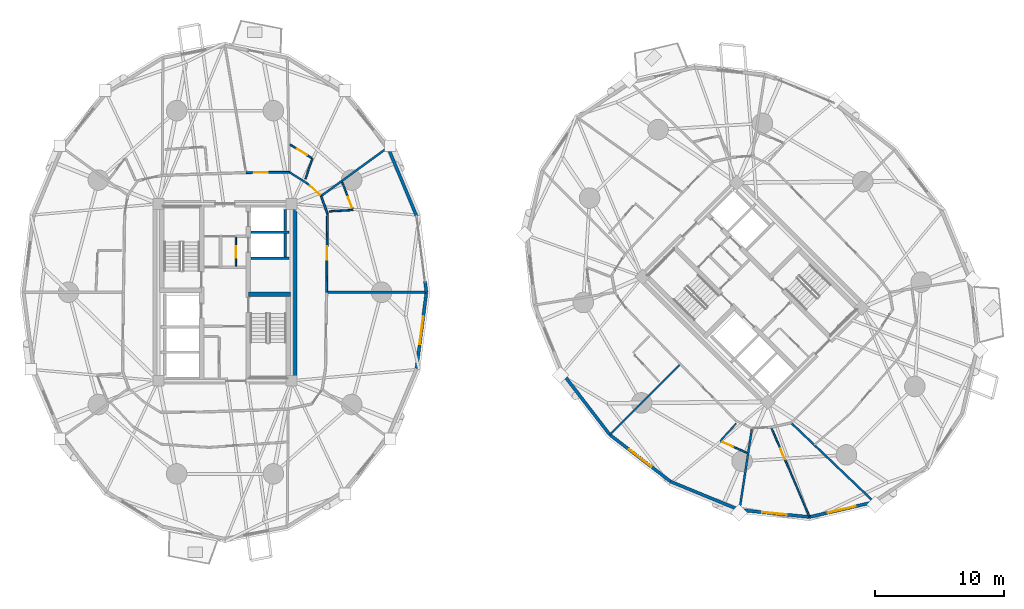
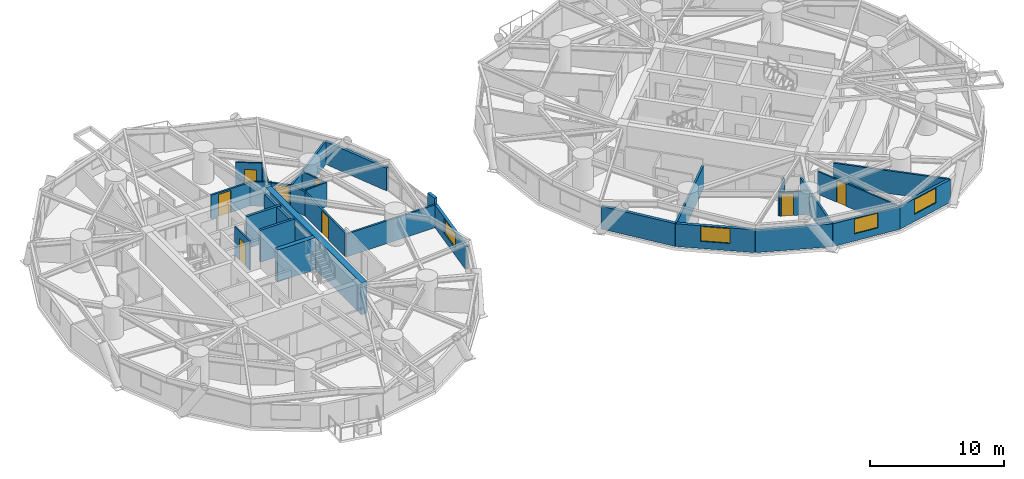
# One storey, part 12 of 19: 32 walls, 8 doors, 4 windows, 12 openings.
"""IFC4 building model written with IfcOpenShell, lengths in metres."""

from ifc_helpers import new_model, si_unit, direction, frame, frame_2d, origin, place, context, subcontext, project, spatial, rectangle, extrude, source, transform, mapped, material, layer, layer_set, type_object, element, fill, save


model = new_model("IFC4")

# Units and contexts
model_context = context("Model", 3, precision=1e-05, world=origin(), true_north=direction((0.0, 1.0)))
body_context = subcontext(model_context, "Body", "Model", "MODEL_VIEW")
ifc_project = project(units=[si_unit("LENGTHUNIT", "METRE"), si_unit("AREAUNIT", "SQUARE_METRE"), si_unit("VOLUMEUNIT", "CUBIC_METRE"), si_unit("PLANEANGLEUNIT", "RADIAN"), si_unit("MASSUNIT", "GRAM", prefix="KILO")], contexts=[model_context])

# Site, building, storey
site_placement = place(None, origin())
site = spatial("IfcSite", under=ifc_project, at=site_placement, CompositionType="ELEMENT")
building_placement = place(site_placement, origin())
building = spatial("IfcBuilding", under=site, at=building_placement, Name="Cununo Teusaquillo Station Towers", CompositionType="ELEMENT")
storey_placement = place(building_placement, frame((0.0, 0.0, 48.18994140625)))
storey = spatial("IfcBuildingStorey", under=building, at=storey_placement, Name="L14", CompositionType="ELEMENT", Elevation=48.18994140625)

# Walls
ifc_material_1 = material(Name="Concrete C50/60", Category="concrete")
ifc_layer_1 = layer(ifc_material_1, 0.199951171875)
ifc_layer_set_1 = layer_set([ifc_layer_1], Name="Concrete C50/60")
wall_type_1 = type_object("IfcWallType", Name="WL-CORE-200", PredefinedType="SHEAR", material=ifc_layer_set_1)
for number, where, z_axis, x_axis, name in (
    (1, (18.510009765625, 27.1298828125, 0.0), (0.0, 0.0, 1.0), (1.0, 0.0, 0.0), "L14 Tower A Low-Rise Lift Hoistway South Shear Wall"),
    (2, (18.510009765625, 29.175048828125, 0.0), (0.0, 0.0, 1.0), (1.0, 0.0, 0.0), "L14 Tower A Low-Rise Lift Hoistway Divider Shear Wall"),
):
    element("IfcWall", number, at=place(storey_placement, frame(where, z_axis=z_axis, x_axis=x_axis)), inside=storey, type_object=wall_type_1, Name=name, PredefinedType="SHEAR", context=body_context, shape_type="SweptSolid", body=[
        extrude(rectangle(XDim=2.969970703125, YDim=0.199951171875, at=frame_2d((1.48486328125, 0.0))), origin(), (0.0, 0.0, 1.0), 2.91015625),
    ])
wall_1_placement = place(storey_placement, frame((21.179931640625, 27.25, 0.0), z_axis=(0.0, 0.0, 1.0), x_axis=(0.0, 1.0, 0.0)))
element("IfcWall", 3, at=wall_1_placement, inside=storey, type_object=wall_type_1, Name="L14 Tower A Low-Rise Lift 1 Shaft Rear Shear Wall", PredefinedType="SHEAR", context=body_context, shape_type="SweptSolid", body=[
    extrude(rectangle(XDim=1.804931640625, YDim=0.199951171875, at=frame_2d((0.90234375, 0.0))), origin(), (0.0, 0.0, 1.0), 2.91015625),
])
wall_2_placement = place(storey_placement, frame((21.179931640625, 29.294921875, 0.0), z_axis=(0.0, 0.0, 1.0), x_axis=(0.0, 1.0, 0.0)))
element("IfcWall", 4, at=wall_2_placement, inside=storey, type_object=wall_type_1, Name="L14 Tower A Low-Rise Lift 2 Shaft Rear Shear Wall", PredefinedType="SHEAR", context=body_context, shape_type="SweptSolid", body=[
    extrude(rectangle(XDim=1.635009765625, YDim=0.199951171875, at=frame_2d((0.8173828125, 0.0))), origin(), (0.0, 0.0, 1.0), 2.91015625),
])
ifc_material_2 = material(Name="Concrete C50/60", Category="concrete")
ifc_layer_2 = layer(ifc_material_2, 0.35009765625)
ifc_layer_set_2 = layer_set([ifc_layer_2], Name="Concrete C50/60")
wall_type_2 = type_object("IfcWallType", Name="WL-CORE-350", PredefinedType="SHEAR", material=ifc_layer_set_2)
wall_3_placement = place(storey_placement, frame((18.31494140625, 24.344970703125, 0.0), z_axis=(0.0, 0.0, 1.0), x_axis=(1.0, 0.0, 0.0)))
element("IfcWall", 5, at=wall_3_placement, inside=storey, type_object=wall_type_2, Name="L14 Tower A Core Shear Wall ST2N", PredefinedType="SHEAR", context=body_context, shape_type="SweptSolid", body=[
    extrude(rectangle(XDim=3.28515625, YDim=0.35009765625, at=frame_2d((1.642578125, 0.0))), origin(), (0.0, 0.0, 1.0), 2.91015625),
])
ifc_material_3 = material(Name="Concrete C60/75", Category="concrete")
ifc_layer_3 = layer(ifc_material_3, 0.5)
ifc_layer_set_3 = layer_set([ifc_layer_3], Name="Concrete C60/75")
wall_type_3 = type_object("IfcWallType", Name="WL-CORE-500", PredefinedType="SHEAR", material=ifc_layer_set_3)
wall_4_placement = place(storey_placement, frame((21.85009765625, 17.35009765625, 0.0), z_axis=(0.0, 0.0, 1.0), x_axis=(0.0, 1.0, 0.0)))
element("IfcWall", 6, at=wall_4_placement, inside=storey, type_object=wall_type_3, Name="L14 Tower A Core Shear Wall E", PredefinedType="SHEAR", context=body_context, shape_type="SweptSolid", body=[
    extrude(rectangle(XDim=14.2998046875, YDim=0.5, at=frame_2d((7.14990234375, 0.0))), origin(), (0.0, 0.0, 1.0), 2.91015625),
])
ifc_material_4 = material(Name="Precast concrete C40/50", Category="concrete")
ifc_layer_4 = layer(ifc_material_4, 0.239990234375)
ifc_layer_set_4 = layer_set([ifc_layer_4], Name="Precast concrete C40/50")
wall_type_4 = type_object("IfcWallType", Name="WL-EXT-240", PredefinedType="SOLIDWALL", material=ifc_layer_set_4)
wall_5_placement = place(storey_placement, frame((32.05126953125, 25.36279296875, 0.0), z_axis=(0.0, 0.0, 1.0), x_axis=(0.128523364007, -0.991706481225, 0.0)))
element("IfcWall", 7, at=wall_5_placement, inside=storey, type_object=wall_type_4, Name="L14 Tower A Column Pier Cladding Wall C00-PB", PredefinedType="SOLIDWALL", context=body_context, shape_type="SweptSolid", body=[
    extrude(rectangle(XDim=0.8701171875, YDim=0.239990234375, at=frame_2d((0.43505859375, 0.0))), origin(), (0.0, 0.0, 1.0), 2.635009765625),
])
wall_6_placement = place(storey_placement, frame((29.171630859375, 35.767822265625, 0.0), z_axis=(0.0, 0.0, 1.0), x_axis=(0.384348836956, -0.923187939442, 0.0)))
element("IfcWall", 8, at=wall_6_placement, inside=storey, type_object=wall_type_4, Name="L14 Tower A Exterior Facade Wall C01", PredefinedType="SOLIDWALL", context=body_context, shape_type="SweptSolid", body=[
    extrude(rectangle(XDim=5.78857421875, YDim=0.239990234375, at=frame_2d((2.894287109375, 0.0))), origin(), (0.0, 0.0, 1.0), 2.072998046875),
])

# Wall, opening, window
wall_7_placement = place(storey_placement, frame((32.1630859375, 24.5, 0.0), z_axis=(0.0, 0.0, 1.0), x_axis=(-0.128339641463, -0.991730274031, 0.0)))
wall_7 = element("IfcWall", 9, at=wall_7_placement, inside=storey, type_object=wall_type_4, Name="L14 Tower A Exterior Facade Wall C19", PredefinedType="SOLIDWALL", context=body_context, shape_type="SweptSolid", body=[
    extrude(rectangle(XDim=5.97314453125, YDim=0.239990234375, at=frame_2d((2.986572265625, 0.0))), origin(), (0.0, 0.0, 1.0), 2.072998046875),
])
shared_shape_1 = source(origin(), body_context, "Body", "SweptSolid", [
    extrude(rectangle(XDim=2.199951171875, YDim=1.35009765625, at=frame_2d((1.10009765625, 0.675048828125))), frame((0.0, 0.1298828125, 0.0), z_axis=(0.0, -1.0, 0.0), x_axis=(1.0, 0.0, 0.0)), (0.0, 0.0, 1.0), 0.260009765625),
])
opening_1_placement = place(wall_7_placement, frame((1.886962890625, 0.0, 0.64990234375)))
opening_1 = element("IfcOpeningElement", 10, at=opening_1_placement, cuts=wall_7, Name="Opening WN-01", PredefinedType="OPENING", context=body_context, shape_type="MappedRepresentation", body=[
    mapped(shared_shape_1, transform((0.0, 0.0, 0.0), x_axis=(1.0, 0.0, 0.0), y_axis=(0.0, 1.0, 0.0), z_axis=(0.0, 0.0, 1.0), scale=1.0)),
])
ifc_material_5 = material(Name="Ceramic-fritted dark low-E double glazing", Category="glass")
window_type_1 = type_object("IfcWindowType", Name="WIN-FRIT-2200", PartitioningType="DOUBLE_PANEL_VERTICAL", PredefinedType="WINDOW", material=ifc_material_5)
shared_shape_2 = source(origin(), body_context, "Body", "SweptSolid", [
    extrude(rectangle(XDim=2.199951171875, YDim=1.35009765625, at=frame_2d((1.10009765625, 0.675048828125))), frame((0.0, 0.030029296875, 0.0), z_axis=(0.0, -1.0, 0.0), x_axis=(1.0, 0.0, 0.0)), (0.0, 0.0, 1.0), 0.06005859375),
])
window_1_placement = place(opening_1_placement, origin())
window_1 = element("IfcWindow", 11, at=window_1_placement, inside=storey, type_object=window_type_1, Name="L14 Tower A Facade Window C19", OverallHeight=1.35009765625, OverallWidth=2.199951171875, PartitioningType="DOUBLE_PANEL_VERTICAL", PredefinedType="WINDOW", context=body_context, shape_type="MappedRepresentation", body=[
    mapped(shared_shape_2, transform((0.0, 0.0, 0.0), x_axis=(1.0, 0.0, 0.0), y_axis=(0.0, 1.0, 0.0), z_axis=(0.0, 0.0, 1.0), scale=1.0)),
])
fill(opening_1, window_1)

# Wall
wall_8_placement = place(storey_placement, frame((46.424560546875, 13.424560546875, 0.0), z_axis=(0.0, 0.0, 1.0), x_axis=(-0.610502519057, 0.792014314407, 0.0)))
element("IfcWall", 12, at=wall_8_placement, inside=storey, type_object=wall_type_4, Name="L14 Tower B Exterior Facade Wall C09", PredefinedType="SOLIDWALL", context=body_context, shape_type="SweptSolid", body=[
    extrude(rectangle(XDim=5.973388671875, YDim=0.239990234375, at=frame_2d((2.98681640625, 0.0))), origin(), (0.0, 0.0, 1.0), 2.072998046875),
])

# Wall, opening, window
wall_9_placement = place(storey_placement, frame((51.155517578125, 9.77783203125, 0.0), z_axis=(0.0, 0.0, 1.0), x_axis=(-0.792014314407, 0.610502519057, 0.0)))
wall_9 = element("IfcWall", 13, at=wall_9_placement, inside=storey, type_object=wall_type_4, Name="L14 Tower B Exterior Facade Wall C10", PredefinedType="SOLIDWALL", context=body_context, shape_type="SweptSolid", body=[
    extrude(rectangle(XDim=5.973388671875, YDim=0.239990234375, at=frame_2d((2.98681640625, 0.0))), origin(), (0.0, 0.0, 1.0), 2.072998046875),
])
opening_2_placement = place(wall_9_placement, frame((1.886962890625, 0.0, 0.64990234375)))
opening_2 = element("IfcOpeningElement", 14, at=opening_2_placement, cuts=wall_9, Name="Opening WN-01", PredefinedType="OPENING", context=body_context, shape_type="MappedRepresentation", body=[
    mapped(shared_shape_1, transform((0.0, 0.0, 0.0), x_axis=(1.0, 0.0, 0.0), y_axis=(0.0, 1.0, 0.0), z_axis=(0.0, 0.0, 1.0), scale=1.0)),
])
window_2_placement = place(opening_2_placement, origin())
window_2 = element("IfcWindow", 15, at=window_2_placement, inside=storey, type_object=window_type_1, Name="L14 Tower B Facade Window C10", OverallHeight=1.35009765625, OverallWidth=2.199951171875, PartitioningType="DOUBLE_PANEL_VERTICAL", PredefinedType="WINDOW", context=body_context, shape_type="MappedRepresentation", body=[
    mapped(shared_shape_2, transform((0.0, 0.0, 0.0), x_axis=(1.0, 0.0, 0.0), y_axis=(0.0, 1.0, 0.0), z_axis=(0.0, 0.0, 1.0), scale=1.0)),
])
fill(opening_2, window_2)

# Wall
wall_10_placement = place(storey_placement, frame((56.50732421875, 7.572265625, 0.0), z_axis=(0.0, 0.0, 1.0), x_axis=(-0.924563629567, 0.381027682565, 0.0)))
element("IfcWall", 16, at=wall_10_placement, inside=storey, type_object=wall_type_4, Name="L14 Tower B Exterior Facade Wall C11", PredefinedType="SOLIDWALL", context=body_context, shape_type="SweptSolid", body=[
    extrude(rectangle(XDim=5.78857421875, YDim=0.239990234375, at=frame_2d((2.894287109375, 0.0))), origin(), (0.0, 0.0, 1.0), 2.072998046875),
])

# Wall, opening, window
wall_11_placement = place(storey_placement, frame((61.95654296875, 7.023681640625, 0.0), z_axis=(0.0, 0.0, 1.0), x_axis=(-0.994970765694, 0.100165739718, 0.0)))
wall_11 = element("IfcWall", 17, at=wall_11_placement, inside=storey, type_object=wall_type_4, Name="L14 Tower B Exterior Facade Wall C12", PredefinedType="SOLIDWALL", context=body_context, shape_type="SweptSolid", body=[
    extrude(rectangle(XDim=5.476806640625, YDim=0.239990234375, at=frame_2d((2.73828125, 0.0))), origin(), (0.0, 0.0, 1.0), 2.072998046875),
])
shared_shape_3 = source(origin(), body_context, "Body", "SweptSolid", [
    extrude(rectangle(XDim=1.89990234375, YDim=1.35009765625, at=frame_2d((0.949951171875, 0.675048828125))), frame((0.0, 0.1298828125, 0.0), z_axis=(0.0, -1.0, 0.0), x_axis=(1.0, 0.0, 0.0)), (0.0, 0.0, 1.0), 0.260009765625),
])
opening_3_placement = place(wall_11_placement, frame((1.7880859375, 0.0, 0.64990234375)))
opening_3 = element("IfcOpeningElement", 18, at=opening_3_placement, cuts=wall_11, Name="Opening WN-02", PredefinedType="OPENING", context=body_context, shape_type="MappedRepresentation", body=[
    mapped(shared_shape_3, transform((0.0, 0.0, 0.0), x_axis=(1.0, 0.0, 0.0), y_axis=(0.0, 1.0, 0.0), z_axis=(0.0, 0.0, 1.0), scale=1.0)),
])
ifc_material_6 = material(Name="Operable acoustic tinted low-E double glazing", Category="glass")
window_type_2 = type_object("IfcWindowType", Name="WIN-OPER-1900", PartitioningType="DOUBLE_PANEL_VERTICAL", PredefinedType="WINDOW", material=ifc_material_6)
shared_shape_4 = source(origin(), body_context, "Body", "SweptSolid", [
    extrude(rectangle(XDim=1.89990234375, YDim=1.35009765625, at=frame_2d((0.949951171875, 0.675048828125))), frame((0.0, 0.030029296875, 0.0), z_axis=(0.0, -1.0, 0.0), x_axis=(1.0, 0.0, 0.0)), (0.0, 0.0, 1.0), 0.06005859375),
])
window_3_placement = place(opening_3_placement, origin())
window_3 = element("IfcWindow", 19, at=window_3_placement, inside=storey, type_object=window_type_2, Name="L14 Tower B Facade Window C12", OverallHeight=1.35009765625, OverallWidth=1.89990234375, PartitioningType="DOUBLE_PANEL_VERTICAL", PredefinedType="WINDOW", context=body_context, shape_type="MappedRepresentation", body=[
    mapped(shared_shape_4, transform((0.0, 0.0, 0.0), x_axis=(1.0, 0.0, 0.0), y_axis=(0.0, 1.0, 0.0), z_axis=(0.0, 0.0, 1.0), scale=1.0)),
])
fill(opening_3, window_3)

wall_12_placement = place(storey_placement, frame((66.969482421875, 8.185791015625, 0.0), z_axis=(0.0, 0.0, 1.0), x_axis=(-0.974166016949, -0.225833060959, 0.0)))
wall_12 = element("IfcWall", 20, at=wall_12_placement, inside=storey, type_object=wall_type_4, Name="L14 Tower B Exterior Facade Wall C13", PredefinedType="SOLIDWALL", context=body_context, shape_type="SweptSolid", body=[
    extrude(rectangle(XDim=5.14599609375, YDim=0.239990234375, at=frame_2d((2.572998046875, 0.0))), origin(), (0.0, 0.0, 1.0), 2.072998046875),
])
opening_4_placement = place(wall_12_placement, frame((1.472900390625, 0.0, 0.64990234375)))
opening_4 = element("IfcOpeningElement", 21, at=opening_4_placement, cuts=wall_12, Name="Opening WN-01", PredefinedType="OPENING", context=body_context, shape_type="MappedRepresentation", body=[
    mapped(shared_shape_1, transform((0.0, 0.0, 0.0), x_axis=(1.0, 0.0, 0.0), y_axis=(0.0, 1.0, 0.0), z_axis=(0.0, 0.0, 1.0), scale=1.0)),
])
window_4_placement = place(opening_4_placement, origin())
window_4 = element("IfcWindow", 22, at=window_4_placement, inside=storey, type_object=window_type_1, Name="L14 Tower B Facade Window C13", OverallHeight=1.35009765625, OverallWidth=2.199951171875, PartitioningType="DOUBLE_PANEL_VERTICAL", PredefinedType="WINDOW", context=body_context, shape_type="MappedRepresentation", body=[
    mapped(shared_shape_2, transform((0.0, 0.0, 0.0), x_axis=(1.0, 0.0, 0.0), y_axis=(0.0, 1.0, 0.0), z_axis=(0.0, 0.0, 1.0), scale=1.0)),
])
fill(opening_4, window_4)

# Wall, opening, door
ifc_material_7 = material(Name="Fire-rated gypsum plasterboard partition assembly", Category="gypsum")
ifc_layer_5 = layer(ifc_material_7, 0.125)
ifc_layer_set_5 = layer_set([ifc_layer_5], Name="Fire-rated gypsum plasterboard partition assembly")
wall_type_5 = type_object("IfcWallType", Name="WL-PART-125", PredefinedType="PARTITIONING", material=ifc_layer_set_5)
wall_13_placement = place(storey_placement, frame((17.35009765625, 26.52001953125, 0.0), z_axis=(0.0, 0.0, 1.0), x_axis=(0.0, 1.0, 0.0)))
wall_13 = element("IfcWall", 23, at=wall_13_placement, inside=storey, type_object=wall_type_5, Name="L14 Tower A Core Vertical Split Wall", PredefinedType="PARTITIONING", context=body_context, shape_type="SweptSolid", body=[
    extrude(rectangle(XDim=2.260009765625, YDim=0.125, at=frame_2d((1.1298828125, 0.0))), origin(), (0.0, 0.0, 1.0), 2.635009765625),
])
shared_shape_5 = source(origin(), body_context, "Body", "SweptSolid", [
    extrude(rectangle(XDim=0.89990234375, YDim=2.0048828125, at=frame_2d((0.449951171875, 1.00244140625))), frame((0.0, 0.072509765625, 0.0), z_axis=(0.0, -1.0, 0.0), x_axis=(1.0, 0.0, 0.0)), (0.0, 0.0, 1.0), 0.14501953125),
])
opening_5_placement = place(wall_13_placement, frame((0.64990234375, 0.0, 0.0)))
opening_5 = element("IfcOpeningElement", 24, at=opening_5_placement, cuts=wall_13, Name="Opening D-SR1", PredefinedType="OPENING", context=body_context, shape_type="MappedRepresentation", body=[
    mapped(shared_shape_5, transform((0.0, 0.0, 0.0), x_axis=(1.0, 0.0, 0.0), y_axis=(0.0, 1.0, 0.0), z_axis=(0.0, 0.0, 1.0), scale=1.0)),
])
ifc_material_8 = material(Name="Galvanised fire-rated hollow steel door assembly", Category="steel")
door_type_1 = type_object("IfcDoorType", Name="DR-STORE-900", OperationType="NOTDEFINED", PredefinedType="DOOR", material=ifc_material_8)
shared_shape_6 = source(origin(), body_context, "Body", "SweptSolid", [
    extrude(rectangle(XDim=0.89990234375, YDim=2.0048828125, at=frame_2d((0.449951171875, 1.00244140625))), frame((0.0, 0.02490234375, 0.0), z_axis=(0.0, -1.0, 0.0), x_axis=(1.0, 0.0, 0.0)), (0.0, 0.0, 1.0), 0.050048828125),
])
door_1_placement = place(opening_5_placement, origin())
door_1 = element("IfcDoor", 25, at=door_1_placement, inside=storey, type_object=door_type_1, Name="L14 Tower A Core Electrical Room Door", OperationType="SINGLE_SWING_LEFT", OverallHeight=2.0048828125, OverallWidth=0.89990234375, PredefinedType="DOOR", context=body_context, shape_type="MappedRepresentation", body=[
    mapped(shared_shape_6, transform((0.0, 0.0, 0.0), x_axis=(1.0, 0.0, 0.0), y_axis=(0.0, 1.0, 0.0), z_axis=(0.0, 0.0, 1.0), scale=1.0)),
])
fill(opening_5, door_1)

# Wall
wall_14_placement = place(storey_placement, frame((24.6005859375, 30.7900390625, 0.0), z_axis=(0.0, 0.0, 1.0), x_axis=(0.998323904123, 0.057873849514, 0.0)))
element("IfcWall", 26, at=wall_14_placement, inside=storey, type_object=wall_type_5, Name="L14 Tower A S01 En-suite Side Wall", PredefinedType="PARTITIONING", context=body_context, shape_type="SweptSolid", body=[
    extrude(rectangle(XDim=1.856201171875, YDim=0.125, at=frame_2d((0.92822265625, 0.0))), origin(), (0.0, 0.0, 1.0), 2.205078125),
])

# Wall, opening, door
wall_15_placement = place(storey_placement, frame((26.427978515625, 30.962890625, 0.0), z_axis=(0.0, 0.0, 1.0), x_axis=(-0.364149471566, 0.931340519014, 0.0)))
wall_15 = element("IfcWall", 27, at=wall_15_placement, inside=storey, type_object=wall_type_5, Name="L14 Tower A S01 En-suite Back Wall", PredefinedType="PARTITIONING", context=body_context, shape_type="SweptSolid", body=[
    extrude(rectangle(XDim=2.247314453125, YDim=0.125, at=frame_2d((1.12353515625, 0.0))), origin(), (0.0, 0.0, 1.0), 2.1591796875),
])
opening_6_placement = place(wall_15_placement, frame((0.1201171875, 0.0, 0.0)))
opening_6 = element("IfcOpeningElement", 28, at=opening_6_placement, cuts=wall_15, Name="Opening D-IN1", PredefinedType="OPENING", context=body_context, shape_type="MappedRepresentation", body=[
    mapped(shared_shape_5, transform((0.0, 0.0, 0.0), x_axis=(1.0, 0.0, 0.0), y_axis=(0.0, 1.0, 0.0), z_axis=(0.0, 0.0, 1.0), scale=1.0)),
])
ifc_material_9 = material(Name="Acoustic solid-core hardwood leaf assembly", Category="wood")
door_type_2 = type_object("IfcDoorType", Name="DR-INT-900", OperationType="NOTDEFINED", PredefinedType="DOOR", material=ifc_material_9)
door_2_placement = place(opening_6_placement, origin())
door_2 = element("IfcDoor", 29, at=door_2_placement, inside=storey, type_object=door_type_2, Name="L14 Tower A S01 En-suite Bathroom Door", OperationType="SINGLE_SWING_LEFT", OverallHeight=2.0048828125, OverallWidth=0.89990234375, PredefinedType="DOOR", context=body_context, shape_type="MappedRepresentation", body=[
    mapped(shared_shape_6, transform((0.0, 0.0, 0.0), x_axis=(1.0, 0.0, 0.0), y_axis=(0.0, 1.0, 0.0), z_axis=(0.0, 0.0, 1.0), scale=1.0)),
])
fill(opening_6, door_2)

# Wall
wall_16_placement = place(storey_placement, frame((22.76025390625, 33.312744140625, 0.0), z_axis=(0.0, 0.0, 1.0), x_axis=(0.312649886595, 0.949868437423, 0.0)))
element("IfcWall", 30, at=wall_16_placement, inside=storey, type_object=wall_type_5, Name="L14 Tower A S02 En-suite Side Wall", PredefinedType="PARTITIONING", context=body_context, shape_type="SweptSolid", body=[
    extrude(rectangle(XDim=1.6796875, YDim=0.125, at=frame_2d((0.83984375, 0.0))), origin(), (0.0, 0.0, 1.0), 2.205078125),
])

# Wall, opening, door
wall_17_placement = place(storey_placement, frame((23.23291015625, 34.941162109375, 0.0), z_axis=(0.0, 0.0, 1.0), x_axis=(-0.84760373009, 0.53062973601, 0.0)))
wall_17 = element("IfcWall", 31, at=wall_17_placement, inside=storey, type_object=wall_type_5, Name="L14 Tower A S02 En-suite Back Wall", PredefinedType="PARTITIONING", context=body_context, shape_type="SweptSolid", body=[
    extrude(rectangle(XDim=1.982666015625, YDim=0.125, at=frame_2d((0.9912109375, 0.0))), origin(), (0.0, 0.0, 1.0), 2.635009765625),
])
opening_7_placement = place(wall_17_placement, frame((0.43603515625, 0.0, 0.0)))
opening_7 = element("IfcOpeningElement", 32, at=opening_7_placement, cuts=wall_17, Name="Opening D-IN1", PredefinedType="OPENING", context=body_context, shape_type="MappedRepresentation", body=[
    mapped(shared_shape_5, transform((0.0, 0.0, 0.0), x_axis=(1.0, 0.0, 0.0), y_axis=(0.0, 1.0, 0.0), z_axis=(0.0, 0.0, 1.0), scale=1.0)),
])
door_3_placement = place(opening_7_placement, origin())
door_3 = element("IfcDoor", 33, at=door_3_placement, inside=storey, type_object=door_type_2, Name="L14 Tower A S02 En-suite Bathroom Door", OperationType="SINGLE_SWING_LEFT", OverallHeight=2.0048828125, OverallWidth=0.89990234375, PredefinedType="DOOR", context=body_context, shape_type="MappedRepresentation", body=[
    mapped(shared_shape_6, transform((0.0, 0.0, 0.0), x_axis=(1.0, 0.0, 0.0), y_axis=(0.0, 1.0, 0.0), z_axis=(0.0, 0.0, 1.0), scale=1.0)),
])
fill(opening_7, door_3)

# Wall
wall_18_placement = place(storey_placement, frame((56.249267578125, 14.3017578125, 0.0), z_axis=(0.0, 0.0, 1.0), x_axis=(-0.669226451819, -0.743058514645, 0.0)))
element("IfcWall", 34, at=wall_18_placement, inside=storey, type_object=wall_type_5, Name="L14 Tower B S05 En-suite Side Wall", PredefinedType="PARTITIONING", context=body_context, shape_type="SweptSolid", body=[
    extrude(rectangle(XDim=1.85498046875, YDim=0.125, at=frame_2d((0.927490234375, 0.0))), origin(), (0.0, 0.0, 1.0), 2.205078125),
])

# Wall, opening, door
wall_19_placement = place(storey_placement, frame((55.071044921875, 12.895751953125, 0.0), z_axis=(0.0, 0.0, 1.0), x_axis=(0.916939896123, -0.399025346184, 0.0)))
wall_19 = element("IfcWall", 35, at=wall_19_placement, inside=storey, type_object=wall_type_5, Name="L14 Tower B S05 En-suite Back Wall", PredefinedType="PARTITIONING", context=body_context, shape_type="SweptSolid", body=[
    extrude(rectangle(XDim=2.20751953125, YDim=0.125, at=frame_2d((1.103759765625, 0.0))), origin(), (0.0, 0.0, 1.0), 2.1591796875),
])
opening_8_placement = place(wall_19_placement, frame((0.1201171875, 0.0, 0.0)))
opening_8 = element("IfcOpeningElement", 36, at=opening_8_placement, cuts=wall_19, Name="Opening D-IN1", PredefinedType="OPENING", context=body_context, shape_type="MappedRepresentation", body=[
    mapped(shared_shape_5, transform((0.0, 0.0, 0.0), x_axis=(1.0, 0.0, 0.0), y_axis=(0.0, 1.0, 0.0), z_axis=(0.0, 0.0, 1.0), scale=1.0)),
])
door_4_placement = place(opening_8_placement, origin())
door_4 = element("IfcDoor", 37, at=door_4_placement, inside=storey, type_object=door_type_2, Name="L14 Tower B S05 En-suite Bathroom Door", OperationType="SINGLE_SWING_RIGHT", OverallHeight=2.0048828125, OverallWidth=0.89990234375, PredefinedType="DOOR", context=body_context, shape_type="MappedRepresentation", body=[
    mapped(shared_shape_6, transform((0.0, 0.0, 0.0), x_axis=(1.0, 0.0, 0.0), y_axis=(0.0, 1.0, 0.0), z_axis=(0.0, 0.0, 1.0), scale=1.0)),
])
fill(opening_8, door_4)

wall_20_placement = place(storey_placement, frame((58.975341796875, 13.99560546875, 0.0), z_axis=(0.0, 0.0, 1.0), x_axis=(0.393755664375, -0.919215141723, 0.0)))
wall_20 = element("IfcWall", 38, at=wall_20_placement, inside=storey, type_object=wall_type_5, Name="L14 Tower B Hotel Sommelier & Wine Salon Suite Subdividing Wall", PredefinedType="PARTITIONING", context=body_context, shape_type="SweptSolid", body=[
    extrude(rectangle(XDim=7.563232421875, YDim=0.125, at=frame_2d((3.78173828125, 0.0))), origin(), (0.0, 0.0, 1.0), 2.072998046875),
])
opening_9_placement = place(wall_20_placement, frame((1.800048828125, 0.0, 0.0)))
opening_9 = element("IfcOpeningElement", 39, at=opening_9_placement, cuts=wall_20, Name="Opening D-IN1", PredefinedType="OPENING", context=body_context, shape_type="MappedRepresentation", body=[
    mapped(shared_shape_5, transform((0.0, 0.0, 0.0), x_axis=(1.0, 0.0, 0.0), y_axis=(0.0, 1.0, 0.0), z_axis=(0.0, 0.0, 1.0), scale=1.0)),
])
door_5_placement = place(opening_9_placement, origin())
door_5 = element("IfcDoor", 40, at=door_5_placement, inside=storey, type_object=door_type_2, Name="L14 Tower B Hotel Sommelier & Wine Salon Suite Connecting Door", OperationType="SINGLE_SWING_RIGHT", OverallHeight=2.0048828125, OverallWidth=0.89990234375, PredefinedType="DOOR", context=body_context, shape_type="MappedRepresentation", body=[
    mapped(shared_shape_6, transform((0.0, 0.0, 0.0), x_axis=(1.0, 0.0, 0.0), y_axis=(0.0, 1.0, 0.0), z_axis=(0.0, 0.0, 1.0), scale=1.0)),
])
fill(opening_9, door_5)

ifc_material_10 = material(Name="Fire-rated gypsum plasterboard partition assembly", Category="gypsum")
ifc_layer_6 = layer(ifc_material_10, 0.14990234375)
ifc_layer_set_6 = layer_set([ifc_layer_6], Name="Fire-rated gypsum plasterboard partition assembly")
wall_type_6 = type_object("IfcWallType", Name="WL-PART-150", PredefinedType="PARTITIONING", material=ifc_layer_set_6)
wall_21_placement = place(storey_placement, frame((24.39990234375, 24.5, 0.0), z_axis=(0.0, 0.0, 1.0), x_axis=(0.011359710161, 0.999935476411, 0.0)))
wall_21 = element("IfcWall", 41, at=wall_21_placement, inside=storey, type_object=wall_type_6, Name="L14 Tower A Corridor Ring Wall C00", PredefinedType="PARTITIONING", context=body_context, shape_type="SweptSolid", body=[
    extrude(rectangle(XDim=6.082275390625, YDim=0.14990234375, at=frame_2d((3.041015625, 0.0))), origin(), (0.0, 0.0, 1.0), 2.1591796875),
])
shared_shape_7 = source(origin(), body_context, "Body", "SweptSolid", [
    extrude(rectangle(XDim=1.050048828125, YDim=2.014892578125, at=frame_2d((0.52490234375, 1.00732421875))), frame((0.0, 0.0849609375, 0.0), z_axis=(0.0, -1.0, 0.0), x_axis=(1.0, 0.0, 0.0)), (0.0, 0.0, 1.0), 0.169921875),
])
opening_10_placement = place(wall_21_placement, frame((2.51611328125, 0.0, 0.0)))
opening_10 = element("IfcOpeningElement", 42, at=opening_10_placement, cuts=wall_21, Name="Opening D-SU1", PredefinedType="OPENING", context=body_context, shape_type="MappedRepresentation", body=[
    mapped(shared_shape_7, transform((0.0, 0.0, 0.0), x_axis=(1.0, 0.0, 0.0), y_axis=(0.0, 1.0, 0.0), z_axis=(0.0, 0.0, 1.0), scale=1.0)),
])
ifc_material_11 = material(Name="Acoustic solid-core hardwood leaf assembly", Category="wood")
door_type_3 = type_object("IfcDoorType", Name="DR-SUITE-1050", OperationType="NOTDEFINED", PredefinedType="DOOR", material=ifc_material_11)
shared_shape_8 = source(origin(), body_context, "Body", "SweptSolid", [
    extrude(rectangle(XDim=1.050048828125, YDim=2.014892578125, at=frame_2d((0.52490234375, 1.00732421875))), frame((0.0, 0.02490234375, 0.0), z_axis=(0.0, -1.0, 0.0), x_axis=(1.0, 0.0, 0.0)), (0.0, 0.0, 1.0), 0.050048828125),
])
door_6_placement = place(opening_10_placement, origin())
door_6 = element("IfcDoor", 43, at=door_6_placement, inside=storey, type_object=door_type_3, Name="L14 Tower A Premier Diplomatic Hotel Suite Entrance Door", OperationType="SINGLE_SWING_RIGHT", OverallHeight=2.014892578125, OverallWidth=1.050048828125, PredefinedType="DOOR", context=body_context, shape_type="MappedRepresentation", body=[
    mapped(shared_shape_8, transform((0.0, 0.0, 0.0), x_axis=(1.0, 0.0, 0.0), y_axis=(0.0, 1.0, 0.0), z_axis=(0.0, 0.0, 1.0), scale=1.0)),
])
fill(opening_10, door_6)

# Wall
wall_22_placement = place(storey_placement, frame((24.468994140625, 30.581787109375, 0.0), z_axis=(0.0, 0.0, 1.0), x_axis=(-0.328902536986, 0.944363871166, 0.0)))
element("IfcWall", 44, at=wall_22_placement, inside=storey, type_object=wall_type_6, Name="L14 Tower A Corridor Ring Wall C01", PredefinedType="PARTITIONING", context=body_context, shape_type="SweptSolid", body=[
    extrude(rectangle(XDim=1.487548828125, YDim=0.14990234375, at=frame_2d((0.74365234375, 0.0))), origin(), (0.0, 0.0, 1.0), 2.205078125),
])

# Wall, opening, door
wall_23_placement = place(storey_placement, frame((23.979736328125, 31.986572265625, 0.0), z_axis=(0.0, 0.0, 1.0), x_axis=(-0.744317922268, 0.667825449193, 0.0)))
wall_23 = element("IfcWall", 45, at=wall_23_placement, inside=storey, type_object=wall_type_6, Name="L14 Tower A Corridor Ring Wall C02", PredefinedType="PARTITIONING", context=body_context, shape_type="SweptSolid", body=[
    extrude(rectangle(XDim=1.48095703125, YDim=0.14990234375, at=frame_2d((0.740478515625, 0.0))), origin(), (0.0, 0.0, 1.0), 2.1591796875),
])
opening_11_placement = place(wall_23_placement, frame((0.1201171875, 0.0, 0.0)))
opening_11 = element("IfcOpeningElement", 46, at=opening_11_placement, cuts=wall_23, Name="Opening D-SU1", PredefinedType="OPENING", context=body_context, shape_type="MappedRepresentation", body=[
    mapped(shared_shape_7, transform((0.0, 0.0, 0.0), x_axis=(1.0, 0.0, 0.0), y_axis=(0.0, 1.0, 0.0), z_axis=(0.0, 0.0, 1.0), scale=1.0)),
])
door_7_placement = place(opening_11_placement, origin())
door_7 = element("IfcDoor", 47, at=door_7_placement, inside=storey, type_object=door_type_3, Name="L14 Tower A Executive Club Hotel Suite Entrance Door", OperationType="SINGLE_SWING_RIGHT", OverallHeight=2.014892578125, OverallWidth=1.050048828125, PredefinedType="DOOR", context=body_context, shape_type="MappedRepresentation", body=[
    mapped(shared_shape_8, transform((0.0, 0.0, 0.0), x_axis=(1.0, 0.0, 0.0), y_axis=(0.0, 1.0, 0.0), z_axis=(0.0, 0.0, 1.0), scale=1.0)),
])
fill(opening_11, door_7)

# Wall
wall_24_placement = place(storey_placement, frame((22.87744140625, 32.9755859375, 0.0), z_axis=(0.0, 0.0, 1.0), x_axis=(-0.846723232687, 0.532033614754, 0.0)))
element("IfcWall", 48, at=wall_24_placement, inside=storey, type_object=wall_type_6, Name="L14 Tower A Corridor Ring Wall C03", PredefinedType="PARTITIONING", context=body_context, shape_type="SweptSolid", body=[
    extrude(rectangle(XDim=1.594970703125, YDim=0.14990234375, at=frame_2d((0.79736328125, 0.0))), origin(), (0.0, 0.0, 1.0), 2.205078125),
])

# Wall, opening, door
wall_25_placement = place(storey_placement, frame((21.52685546875, 33.82421875, 0.0), z_axis=(0.0, 0.0, 1.0), x_axis=(-0.999990631344, -0.00432865146, 0.0)))
wall_25 = element("IfcWall", 49, at=wall_25_placement, inside=storey, type_object=wall_type_6, Name="L14 Tower A Corridor Ring Wall C04", PredefinedType="PARTITIONING", context=body_context, shape_type="SweptSolid", body=[
    extrude(rectangle(XDim=3.384033203125, YDim=0.14990234375, at=frame_2d((1.69189453125, 0.0))), origin(), (0.0, 0.0, 1.0), 2.1591796875),
])
opening_12_placement = place(wall_25_placement, frame((1.6904296875, 0.0, 0.0)))
opening_12 = element("IfcOpeningElement", 50, at=opening_12_placement, cuts=wall_25, Name="Opening D-SU1", PredefinedType="OPENING", context=body_context, shape_type="MappedRepresentation", body=[
    mapped(shared_shape_7, transform((0.0, 0.0, 0.0), x_axis=(1.0, 0.0, 0.0), y_axis=(0.0, 1.0, 0.0), z_axis=(0.0, 0.0, 1.0), scale=1.0)),
])
door_8_placement = place(opening_12_placement, origin())
door_8 = element("IfcDoor", 51, at=door_8_placement, inside=storey, type_object=door_type_3, Name="L14 Tower A Presidential Hospitality Suite Entrance Door", OperationType="SINGLE_SWING_RIGHT", OverallHeight=2.014892578125, OverallWidth=1.050048828125, PredefinedType="DOOR", context=body_context, shape_type="MappedRepresentation", body=[
    mapped(shared_shape_8, transform((0.0, 0.0, 0.0), x_axis=(1.0, 0.0, 0.0), y_axis=(0.0, 1.0, 0.0), z_axis=(0.0, 0.0, 1.0), scale=1.0)),
])
fill(opening_12, door_8)

# Walls
ifc_material_12 = material(Name="Fire-rated gypsum plasterboard partition assembly", Category="gypsum")
ifc_layer_7 = layer(ifc_material_12, 0.159912109375)
ifc_layer_set_7 = layer_set([ifc_layer_7], Name="Fire-rated gypsum plasterboard partition assembly")
wall_type_7 = type_object("IfcWallType", Name="WL-PART-160", PredefinedType="PARTITIONING", material=ifc_layer_set_7)
wall_26_placement = place(storey_placement, frame((24.39990234375, 24.5, 0.0), z_axis=(0.0, 0.0, 1.0), x_axis=(1.0, 0.0, 0.0)))
element("IfcWall", 52, at=wall_26_placement, inside=storey, type_object=wall_type_7, Name="L14 Tower A Radial Suite Partition R01", PredefinedType="PARTITIONING", context=body_context, shape_type="SweptSolid", body=[
    extrude(rectangle(XDim=7.7431640625, YDim=0.159912109375, at=frame_2d((3.87158203125, 0.0))), origin(), (0.0, 0.0, 1.0), 2.072998046875),
])
wall_27_placement = place(storey_placement, frame((23.979736328125, 31.986572265625, 0.0), z_axis=(0.0, 0.0, 1.0), x_axis=(0.80834018144, 0.588715679313, 0.0)))
element("IfcWall", 53, at=wall_27_placement, inside=storey, type_object=wall_type_7, Name="L14 Tower A Radial Suite Partition R02", PredefinedType="PARTITIONING", context=body_context, shape_type="SweptSolid", body=[
    extrude(rectangle(XDim=6.403076171875, YDim=0.159912109375, at=frame_2d((3.20166015625, 0.0))), origin(), (0.0, 0.0, 1.0), 2.072998046875),
])
wall_28_placement = place(storey_placement, frame((51.913818359375, 18.913818359375, 0.0), z_axis=(0.0, 0.0, 1.0), x_axis=(-0.707106781187, -0.707106781187, 0.0)))
element("IfcWall", 54, at=wall_28_placement, inside=storey, type_object=wall_type_7, Name="L14 Tower B Radial Suite Partition R06", PredefinedType="PARTITIONING", context=body_context, shape_type="SweptSolid", body=[
    extrude(rectangle(XDim=7.742919921875, YDim=0.159912109375, at=frame_2d((3.87158203125, 0.0))), origin(), (0.0, 0.0, 1.0), 2.072998046875),
])
wall_29_placement = place(storey_placement, frame((57.48291015625, 13.925048828125, 0.0), z_axis=(0.0, 0.0, 1.0), x_axis=(-0.151762268519, -0.988417024264, 0.0)))
element("IfcWall", 55, at=wall_29_placement, inside=storey, type_object=wall_type_7, Name="L14 Tower B Radial Suite Partition R07", PredefinedType="PARTITIONING", context=body_context, shape_type="SweptSolid", body=[
    extrude(rectangle(XDim=6.407470703125, YDim=0.159912109375, at=frame_2d((3.20361328125, 0.0))), origin(), (0.0, 0.0, 1.0), 2.072998046875),
])
wall_30_placement = place(storey_placement, frame((60.52783203125, 14.34423828125, 0.0), z_axis=(0.0, 0.0, 1.0), x_axis=(0.723320016743, -0.690512963947, 0.0)))
element("IfcWall", 56, at=wall_30_placement, inside=storey, type_object=wall_type_7, Name="L14 Tower B Radial Suite Partition R08", PredefinedType="PARTITIONING", context=body_context, shape_type="SweptSolid", body=[
    extrude(rectangle(XDim=8.892822265625, YDim=0.159912109375, at=frame_2d((4.4462890625, 0.0))), origin(), (0.0, 0.0, 1.0), 2.072998046875),
])

save(model, "model.ifc")
